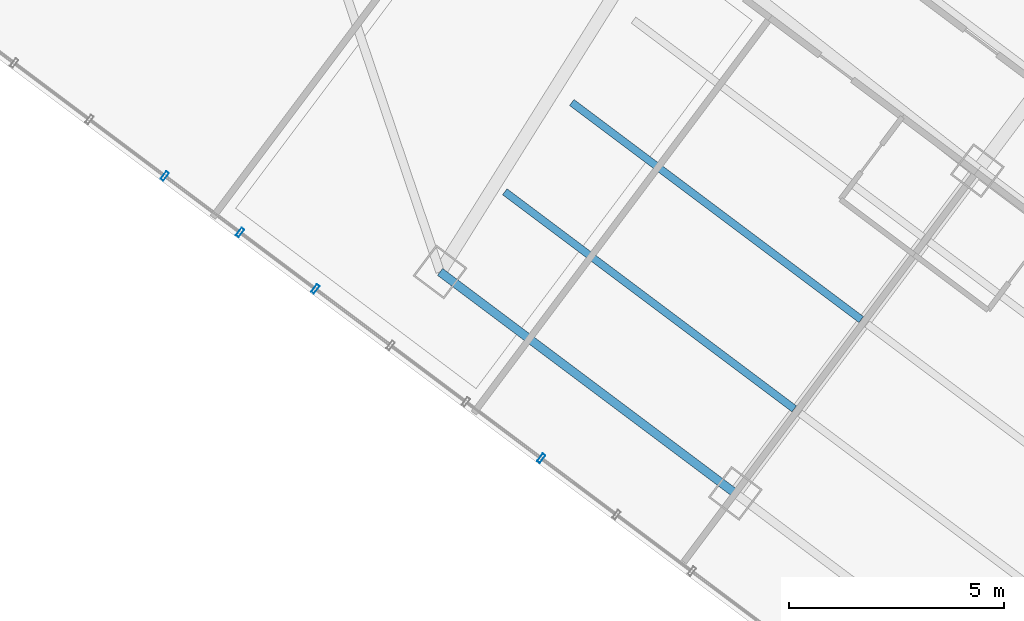
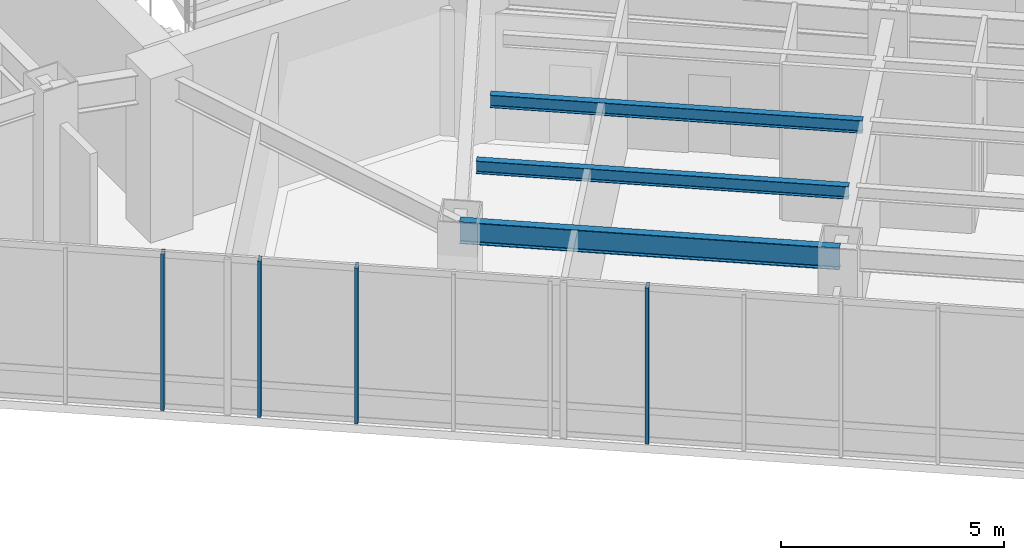
# One storey, part 7 of 27: 4 members, 3 beams, 1 element without a shape of its own.
"""IFC4 building model written with IfcOpenShell, lengths in metres."""

import ifcopenshell
import ifcopenshell.guid

model = None  # the IFC model being written
_history = None  # IfcOwnerHistory: only IFC2X3 demands one
_inside = {}  # id of a spatial element -> (the spatial element, [elements in it])
_under = {}  # id of a project, library or spatial element -> (it, [spatial elements below it])
_declared = {}  # id of a project -> (the project, [libraries it declares])
_typed = {}  # id of a type object -> (the type object, [elements of that type])
_made_of = {}  # id of a material, layer set ... -> (it, [elements and type objects made of it])


def new_model(schema):
    """Start an empty IFC model of exactly this schema.

    Asked for "IFC4X3", IfcOpenShell would pick the latest addendum, in which some entities
    have other attributes; the version numbers below select the first issue.
    IFC2X3 requires an IfcOwnerHistory on every rooted entity: one is made here for all.
    """
    global model, _history
    if schema == "IFC4X3":
        model = ifcopenshell.file(schema_version=(4, 3, 0, 0))
    else:
        model = ifcopenshell.file(schema=schema)
    _inside.clear()
    _under.clear()
    _declared.clear()
    _typed.clear()
    _made_of.clear()
    _history = None
    if model.schema == "IFC2X3":
        org = make("IfcOrganization", Name="unknown")
        user = make(
            "IfcPersonAndOrganization",
            ThePerson=make("IfcPerson", FamilyName="unknown"),
            TheOrganization=org,
        )
        app = make(
            "IfcApplication",
            ApplicationDeveloper=org,
            Version="unknown",
            ApplicationFullName="unknown",
            ApplicationIdentifier="unknown",
        )
        _history = make(
            "IfcOwnerHistory",
            OwningUser=user,
            OwningApplication=app,
            ChangeAction="ADDED",
            CreationDate=0,
        )
    return model


def make(cls, **values):
    """One entity of the class cls with the attributes given. An attribute that is None is left unset."""
    return model.create_entity(
        cls, **{name: value for name, value in values.items() if value is not None}
    )


def rooted(cls, **values):
    """An entity with a GlobalId (a new one), such as an element, a storey or a relation."""
    return make(cls, GlobalId=ifcopenshell.guid.new(), OwnerHistory=_history, **values)


def si_unit(unit_type, name, prefix=None):
    """IfcSIUnit, for example si_unit("LENGTHUNIT", "METRE", prefix="MILLI")."""
    return make("IfcSIUnit", UnitType=unit_type, Prefix=prefix, Name=name)


def assignment(units):
    """IfcUnitAssignment: the units of a project."""
    return None if units is None else make("IfcUnitAssignment", Units=units)


def point(xyz):
    """IfcCartesianPoint."""
    return None if xyz is None else make("IfcCartesianPoint", Coordinates=xyz)


def direction(xyz):
    """IfcDirection."""
    return None if xyz is None else make("IfcDirection", DirectionRatios=xyz)


def frame(location, z_axis=None, x_axis=None):
    """IfcAxis2Placement3D, a coordinate frame: its origin and axes. An axis left out is left unset."""
    return make(
        "IfcAxis2Placement3D",
        Location=point(location),
        Axis=direction(z_axis),
        RefDirection=direction(x_axis),
    )


def frame_2d(location, x_axis=None):
    """IfcAxis2Placement2D, a coordinate frame in the plane: its origin and x axis."""
    return make(
        "IfcAxis2Placement2D", Location=point(location), RefDirection=direction(x_axis)
    )


def origin():
    """The frame at (0, 0, 0) with its axes left unset."""
    return frame((0.0, 0.0, 0.0))


def origin_2d():
    """The frame at (0, 0) in the plane with its x axis left unset."""
    return frame_2d((0.0, 0.0))


def place(relative_to, where):
    """IfcLocalPlacement: puts the frame where relative to a parent placement (None: the world)."""
    return make(
        "IfcLocalPlacement", PlacementRelTo=relative_to, RelativePlacement=where
    )


def context(
    kind, dimensions, precision=None, world=None, true_north=None, identifier=None
):
    """IfcGeometricRepresentationContext, for example the 3D "Model" context."""
    return make(
        "IfcGeometricRepresentationContext",
        ContextIdentifier=identifier,
        ContextType=kind,
        CoordinateSpaceDimension=dimensions,
        Precision=precision,
        WorldCoordinateSystem=world,
        TrueNorth=true_north,
    )


def subcontext(parent, identifier, kind, view, scale=None):
    """IfcGeometricRepresentationSubContext, for example "Body" below "Model"."""
    return make(
        "IfcGeometricRepresentationSubContext",
        ContextIdentifier=identifier,
        ContextType=kind,
        ParentContext=parent,
        TargetScale=scale,
        TargetView=view,
    )


def project(units=None, contexts=None):
    """IfcProject with its units and contexts."""
    return rooted(
        "IfcProject",
        Name="project",
        RepresentationContexts=contexts,
        UnitsInContext=assignment(units),
    )


def spatial(cls, under=None, at=None, **own):
    """A site, building, storey or space (cls), placed at a placement, below another one or the project."""
    s = rooted(cls, ObjectPlacement=at, **own)
    if under is not None:
        _under.setdefault(under.id(), (under, []))[1].append(s)
    return s


def profile(cls, at=None, kind="AREA", **sizes):
    """A parametric profile (cls). Its sizes go by their IFC names, for example OverallWidth=200.0."""
    return make(cls, ProfileType=kind, Position=at, **sizes)


def hollow_rectangle(**sizes):
    """IfcRectangleHollowProfileDef."""
    return profile("IfcRectangleHollowProfileDef", **sizes)


def i_section(**sizes):
    """IfcIShapeProfileDef."""
    return profile("IfcIShapeProfileDef", **sizes)


def extrude(swept, where, along, depth):
    """IfcExtrudedAreaSolid: the profile swept, set in the frame where, extruded along a direction by depth."""
    return make(
        "IfcExtrudedAreaSolid",
        SweptArea=swept,
        Position=where,
        ExtrudedDirection=direction(along),
        Depth=depth,
    )


def shape(context_of_items, identifier, shape_type, items):
    """IfcShapeRepresentation: the items that make up one representation, for example the "Body"."""
    return make(
        "IfcShapeRepresentation",
        ContextOfItems=context_of_items,
        RepresentationIdentifier=identifier,
        RepresentationType=shape_type,
        Items=items,
    )


def material(Name=None, Category=None):
    """IfcMaterial."""
    return make("IfcMaterial", Name=Name, Category=Category)


def layer(
    of_material, thickness, ventilated=None, Name=None, Category=None, Priority=None
):
    """IfcMaterialLayer: one layer of a wall or slab, of a material (None: an air gap)."""
    return make(
        "IfcMaterialLayer",
        Material=of_material,
        LayerThickness=thickness,
        IsVentilated=ventilated,
        Name=Name,
        Category=Category,
        Priority=Priority,
    )


def layer_set(layers, Name=None):
    """IfcMaterialLayerSet."""
    return make("IfcMaterialLayerSet", MaterialLayers=layers, LayerSetName=Name)


def material_profile(
    of_material, cross_section, Name=None, Category=None, Priority=None
):
    """IfcMaterialProfile: a cross section and its material."""
    return make(
        "IfcMaterialProfile",
        Name=Name,
        Material=of_material,
        Profile=cross_section,
        Priority=Priority,
        Category=Category,
    )


def profile_set(profiles, Name=None, composite=None):
    """IfcMaterialProfileSet."""
    return make(
        "IfcMaterialProfileSet",
        Name=Name,
        MaterialProfiles=profiles,
        CompositeProfile=composite,
    )


def made_of(thing, what):
    """Note that an element or type object is made of a material, layer set ...; save() writes the relation."""
    if what is not None:
        _made_of.setdefault(what.id(), (what, []))[1].append(thing)
    return thing


def type_object(cls, material=None, **own):
    """A type object (cls), such as IfcWallType, which elements share."""
    return made_of(rooted(cls, **own), material)


def element(
    cls,
    number,
    at=None,
    inside=None,
    cuts=None,
    type_object=None,
    material=None,
    context=None,
    identifier="Body",
    shape_type=None,
    held_by="IfcProductDefinitionShape",
    body=None,
    shapes=None,
    **own,
):
    """One element of the class cls, such as IfcWall. Its Tag is "e" and its number.

    at: its placement. inside: the storey or other place that contains it. cuts: it is an
    opening in that element (IfcRelVoidsElement). A single representation is given by context,
    identifier, shape_type and body (its items); several are given by shapes. held_by: the class
    of the entity that holds the representations. save() writes the other relations.
    """
    e = rooted(cls, Tag="e%d" % number, ObjectPlacement=at, **own)
    if body is not None:
        shapes = [shape(context, identifier, shape_type, body)]
    if shapes is not None:
        e.Representation = make(held_by, Representations=shapes)
    if inside is not None:
        _inside.setdefault(inside.id(), (inside, []))[1].append(e)
    if cuts is not None:
        rooted(
            "IfcRelVoidsElement", RelatingBuildingElement=cuts, RelatedOpeningElement=e
        )
    if type_object is not None:
        _typed.setdefault(type_object.id(), (type_object, []))[1].append(e)
    return made_of(e, material)


def aggregate(whole, parts):
    """IfcRelAggregates: a whole, such as a stair, and the parts it consists of."""
    return rooted("IfcRelAggregates", RelatingObject=whole, RelatedObjects=parts)


def save(model, path):
    """Write the relations noted so far, then the file.

    IfcRelAggregates (storeys below a building ...), IfcRelContainedInSpatialStructure (elements
    in a storey), IfcRelDefinesByType, IfcRelAssociatesMaterial and IfcRelDeclares: one each for
    every whole, place, type object, material and project.
    """
    for whole, parts in _under.values():
        aggregate(whole, parts)
    for where, things in _inside.values():
        rooted(
            "IfcRelContainedInSpatialStructure",
            RelatedElements=things,
            RelatingStructure=where,
        )
    for kind, things in _typed.values():
        rooted("IfcRelDefinesByType", RelatedObjects=things, RelatingType=kind)
    for what, things in _made_of.values():
        rooted("IfcRelAssociatesMaterial", RelatedObjects=things, RelatingMaterial=what)
    for by, libraries in _declared.values():
        rooted("IfcRelDeclares", RelatingContext=by, RelatedDefinitions=libraries)
    model.write(path)


model = new_model("IFC4")

# Units and contexts
model_context = context("Model", 3, precision=1e-05, world=origin(), true_north=direction((0.0, 1.0)))
body_context = subcontext(model_context, "Body", "Model", "MODEL_VIEW")
ifc_project = project(units=[si_unit("LENGTHUNIT", "METRE"), si_unit("AREAUNIT", "SQUARE_METRE"), si_unit("VOLUMEUNIT", "CUBIC_METRE"), si_unit("PLANEANGLEUNIT", "RADIAN"), si_unit("MASSUNIT", "GRAM", prefix="KILO")], contexts=[model_context])

# Site, building, storey
site_placement = place(None, origin())
site = spatial("IfcSite", under=ifc_project, at=site_placement, CompositionType="ELEMENT")
building_placement = place(site_placement, origin())
building = spatial("IfcBuilding", under=site, at=building_placement, Name="Hatsunagi Terrace Concourse", CompositionType="ELEMENT")
storey_placement = place(building_placement, frame((0.0, 0.0, 70.10009765625)))
storey = spatial("IfcBuildingStorey", under=building, at=storey_placement, Name="L18", CompositionType="ELEMENT", Elevation=70.10009765625)

# Curtain wall, members
ifc_material_1 = material(Name="Anodised Aluminium Alloy 6063-T5", Category="aluminium")
ifc_layer = layer(ifc_material_1, 0.199951171875)
ifc_layer_set = layer_set([ifc_layer], Name="SkyLobbyAtrium_CW05")
curtain_wall_type = type_object("IfcCurtainWallType", Name="SkyLobbyAtrium_CW05", PredefinedType="NOTDEFINED", material=ifc_layer_set)
curtain_wall_placement = place(storey_placement, origin())
curtain_wall = element("IfcCurtainWall", 1, at=curtain_wall_placement, inside=storey, type_object=curtain_wall_type, Name="Unitised Curtain Wall CW-05 CW-L18-05", PredefinedType="NOTDEFINED")
ifc_material_2 = material(Name="Anodised Aluminium Alloy 6063-T5", Category="aluminium")
ifc_material_profile_1 = material_profile(ifc_material_2, hollow_rectangle(XDim=0.080078125, YDim=0.219970703125, WallThickness=0.0048828125, at=origin_2d()), Name="ALU-MUL-220x80x5")
ifc_profile_set_1 = profile_set([ifc_material_profile_1], Name="Anodised Aluminium Alloy 6063-T5")
member_type = type_object("IfcMemberType", Name="CurtainWallMullion_Heavy_220x80", PredefinedType="MULLION", material=ifc_profile_set_1)
member_1_placement = place(storey_placement, frame((41.037109375, 11.697998046875, 0.0), z_axis=(0.0, 0.0, 1.0), x_axis=(-0.800003116929, 0.599995844072, 0.0)))
member_1 = element("IfcMember", 2, at=member_1_placement, type_object=member_type, Name="Curtain Wall Mullion MUL-01", PredefinedType="MULLION", context=body_context, shape_type="SweptSolid", body=[
    extrude(hollow_rectangle(XDim=0.080078125, YDim=0.219970703125, WallThickness=0.0048828125, at=origin_2d()), origin(), (0.0, 0.0, 1.0), 4.27978515625),
])
member_2_placement = place(storey_placement, frame((35.77392578125, 15.64501953125, 0.0), z_axis=(0.0, 0.0, 1.0), x_axis=(-0.800003116929, 0.599995844072, 0.0)))
member_2 = element("IfcMember", 3, at=member_2_placement, type_object=member_type, Name="Curtain Wall Mullion MUL-01", PredefinedType="MULLION", context=body_context, shape_type="SweptSolid", body=[
    extrude(hollow_rectangle(XDim=0.080078125, YDim=0.219970703125, WallThickness=0.0048828125, at=origin_2d()), origin(), (0.0, 0.0, 1.0), 4.27978515625),
])
member_3_placement = place(storey_placement, frame((34.01904296875, 16.9609375, 0.0), z_axis=(0.0, 0.0, 1.0), x_axis=(-0.800003116929, 0.599995844072, 0.0)))
member_3 = element("IfcMember", 4, at=member_3_placement, type_object=member_type, Name="Curtain Wall Mullion MUL-01", PredefinedType="MULLION", context=body_context, shape_type="SweptSolid", body=[
    extrude(hollow_rectangle(XDim=0.080078125, YDim=0.219970703125, WallThickness=0.0048828125, at=origin_2d()), origin(), (0.0, 0.0, 1.0), 4.27978515625),
])
member_4_placement = place(storey_placement, frame((32.264892578125, 18.277099609375, 0.0), z_axis=(0.0, 0.0, 1.0), x_axis=(-0.800003116929, 0.599995844072, 0.0)))
member_4 = element("IfcMember", 5, at=member_4_placement, type_object=member_type, Name="Curtain Wall Mullion MUL-01", PredefinedType="MULLION", context=body_context, shape_type="SweptSolid", body=[
    extrude(hollow_rectangle(XDim=0.080078125, YDim=0.219970703125, WallThickness=0.0048828125, at=origin_2d()), origin(), (0.0, 0.0, 1.0), 4.27978515625),
])
aggregate(curtain_wall, [member_1, member_2, member_3, member_4])

# Beams
ifc_material_3 = material(Name="Steel SN490B", Category="steel")
ifc_material_profile_2 = material_profile(ifc_material_3, i_section(OverallWidth=0.175048828125, OverallDepth=0.35009765625, WebThickness=0.007080078125, FlangeThickness=0.010986328125, FilletRadius=0.012939453125, at=origin_2d()), Name="H-350x175x7x11")
ifc_profile_set_2 = profile_set([ifc_material_profile_2], Name="Steel SN490B")
beam_type_1 = type_object("IfcBeamType", Name="HotelJoist_H_350x175", PredefinedType="JOIST", material=ifc_profile_set_2)
for number, where, z_axis, x_axis, name in (
    (6, (40.18798828125, 17.908935546875, 4.10498046875), (0.800003475366, -0.59999536615, 0.0), (0.59999536615, 0.800003475366, 0.0), "Beam J-02 J-L18-SE-2-46"),
    (7, (41.748046875, 19.989013671875, 4.10498046875), (0.799989573921, -0.600013901187, 0.0), (0.600013901187, 0.799989573921, 0.0), "Beam J-02 J-L18-SE-2-72"),
):
    element("IfcBeam", number, at=place(storey_placement, frame(where, z_axis=z_axis, x_axis=x_axis)), inside=storey, type_object=beam_type_1, Name=name, PredefinedType="JOIST", context=body_context, shape_type="SweptSolid", body=[
        extrude(i_section(OverallWidth=0.175048828125, OverallDepth=0.35009765625, WebThickness=0.007080078125, FlangeThickness=0.010986328125, FilletRadius=0.012939453125, at=origin_2d()), origin(), (0.0, 0.0, 1.0), 8.429931640625),
    ])
ifc_material_4 = material(Name="Steel SN490B", Category="steel")
ifc_material_profile_3 = material_profile(ifc_material_4, i_section(OverallWidth=0.199951171875, OverallDepth=0.60009765625, WebThickness=0.010986328125, FlangeThickness=0.01708984375, FilletRadius=0.01806640625, at=origin_2d()), Name="H-600x200x11x17")
ifc_profile_set_3 = profile_set([ifc_material_profile_3], Name="Steel SN490B")
beam_type_2 = type_object("IfcBeamType", Name="PerimeterSpandrel_H_600x200", PredefinedType="SPANDREL", material=ifc_profile_set_3)
beam_placement = place(storey_placement, frame((38.679931640625, 16.0400390625, 3.97998046875), z_axis=(0.799996593451, -0.600004542038, 0.0), x_axis=(0.600004542038, 0.799996593451, 0.0)))
element("IfcBeam", 8, at=beam_placement, inside=storey, type_object=beam_type_2, Name="Beam SP-01 BM-L18-SE-SW2", PredefinedType="SPANDREL", context=body_context, shape_type="SweptSolid", body=[
    extrude(i_section(OverallWidth=0.199951171875, OverallDepth=0.60009765625, WebThickness=0.010986328125, FlangeThickness=0.01708984375, FilletRadius=0.01806640625, at=origin_2d()), origin(), (0.0, 0.0, 1.0), 8.60009765625),
])

save(model, "model.ifc")
